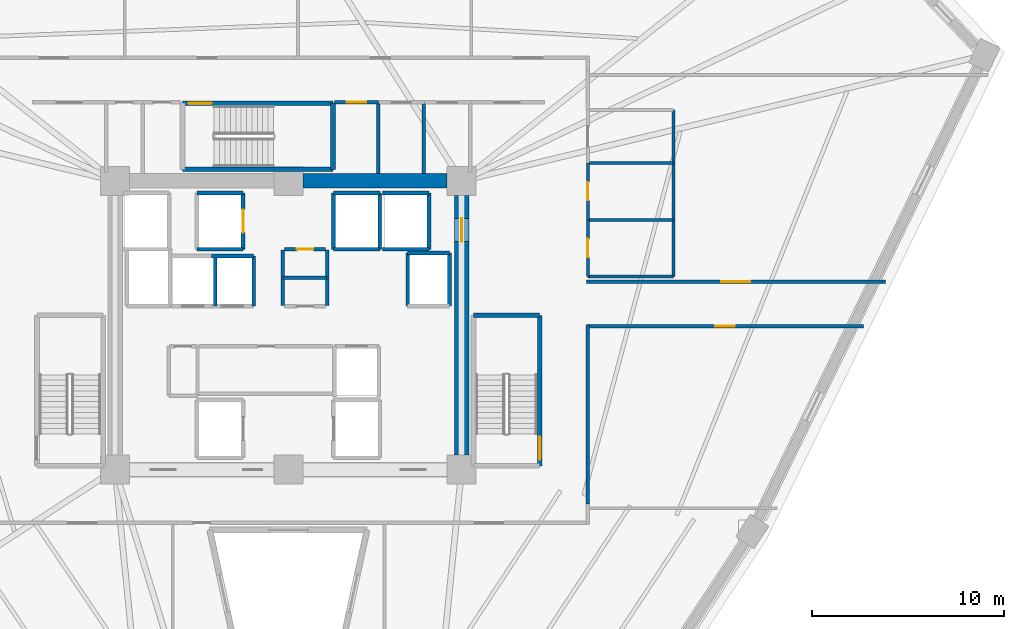
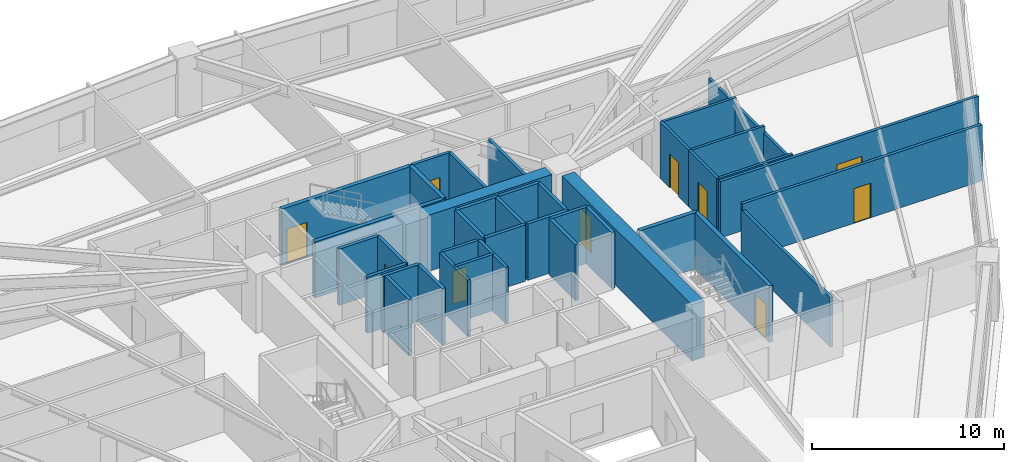
# One storey, part 6 of 10: 39 walls, 10 doors, 10 openings.
"""IFC4 building model written with IfcOpenShell, lengths in metres."""

from ifc_helpers import new_model, si_unit, direction, frame, frame_2d, origin, place, context, subcontext, project, spatial, rectangle, extrude, source, transform, mapped, material, layer, layer_set, type_object, element, fill, save


model = new_model("IFC4")

# Units and contexts
model_context = context("Model", 3, precision=1e-05, world=origin(), true_north=direction((0.0, 1.0)))
body_context = subcontext(model_context, "Body", "Model", "MODEL_VIEW")
ifc_project = project(units=[si_unit("LENGTHUNIT", "METRE"), si_unit("AREAUNIT", "SQUARE_METRE"), si_unit("VOLUMEUNIT", "CUBIC_METRE"), si_unit("PLANEANGLEUNIT", "RADIAN"), si_unit("MASSUNIT", "GRAM", prefix="KILO")], contexts=[model_context])

# Site, building, storey
site_placement = place(None, origin())
site = spatial("IfcSite", under=ifc_project, at=site_placement, CompositionType="ELEMENT")
building_placement = place(site_placement, origin())
building = spatial("IfcBuilding", under=site, at=building_placement, Name="Liaohun Quay Tower", CompositionType="ELEMENT")
storey_placement = place(building_placement, frame((0.0, 0.0, 124.5)))
storey = spatial("IfcBuildingStorey", under=building, at=storey_placement, Name="L32", CompositionType="ELEMENT", Elevation=124.5)

# Wall
ifc_material_1 = material(Name="Concrete C60", Category="concrete")
ifc_layer_1 = layer(ifc_material_1, 0.75, Name="Concrete C60", Category="concrete")
ifc_layer_set_1 = layer_set([ifc_layer_1], Name="Concrete C60")
wall_type_1 = type_object("IfcWallType", Name="WAL-COR-Z2", PredefinedType="SHEAR", material=ifc_layer_set_1)
wall_1_placement = place(storey_placement, frame((60.75, 61.5, 0.0), z_axis=(0.0, 0.0, 1.0), x_axis=(1.0, 0.0, 0.0)))
element("IfcWall", 1, at=wall_1_placement, inside=storey, type_object=wall_type_1, Name="L32 Central Core Shear Wall N-E", PredefinedType="SHEAR", context=body_context, shape_type="SweptSolid", body=[
    extrude(rectangle(XDim=7.5, YDim=0.75, at=frame_2d((3.75, 0.0))), origin(), (0.0, 0.0, 1.0), 3.570068359375),
])

# Wall, opening, door
wall_2_placement = place(storey_placement, frame((69.0, 60.75, 0.0), z_axis=(0.0, 0.0, 1.0), x_axis=(0.0, -1.0, 0.0)))
wall_2 = element("IfcWall", 2, at=wall_2_placement, inside=storey, type_object=wall_type_1, Name="L32 Central Core Shear Wall E", PredefinedType="SHEAR", context=body_context, shape_type="SweptSolid", body=[
    extrude(rectangle(XDim=13.5, YDim=0.75, at=frame_2d((6.75, 0.0))), origin(), (0.0, 0.0, 1.0), 3.570068359375),
])
shared_shape_1 = source(origin(), body_context, "Body", "SweptSolid", [
    extrude(rectangle(XDim=1.199951171875, YDim=2.199951171875, at=frame_2d((0.60009765625, 1.10009765625))), frame((0.0, 0.385009765625, 0.0), z_axis=(0.0, -1.0, 0.0), x_axis=(1.0, 0.0, 0.0)), (0.0, 0.0, 1.0), 0.77001953125),
])
opening_1_placement = place(wall_2_placement, frame((1.199951171875, 0.0, 0.0)))
opening_1 = element("IfcOpeningElement", 3, at=opening_1_placement, cuts=wall_2, Name="Opening SD1", PredefinedType="OPENING", context=body_context, shape_type="MappedRepresentation", body=[
    mapped(shared_shape_1, transform((0.0, 0.0, 0.0), x_axis=(1.0, 0.0, 0.0), y_axis=(0.0, 1.0, 0.0), z_axis=(0.0, 0.0, 1.0), scale=1.0)),
])
ifc_material_2 = material(Name="Galvanised steel fire door", Category="steel")
door_type_1 = type_object("IfcDoorType", Name="DOR-STR-1200", OperationType="NOTDEFINED", PredefinedType="DOOR", material=ifc_material_2)
shared_shape_2 = source(origin(), body_context, "Body", "SweptSolid", [
    extrude(rectangle(XDim=1.199951171875, YDim=2.199951171875, at=frame_2d((0.60009765625, 1.10009765625))), frame((0.0, 0.02490234375, 0.0), z_axis=(0.0, -1.0, 0.0), x_axis=(1.0, 0.0, 0.0)), (0.0, 0.0, 1.0), 0.050048828125),
])
door_1_placement = place(opening_1_placement, origin())
door_1 = element("IfcDoor", 4, at=door_1_placement, inside=storey, type_object=door_type_1, Name="L32 North-East Core Lobby Smokeproof Door", OperationType="SINGLE_SWING_LEFT", OverallHeight=2.199951171875, OverallWidth=1.199951171875, PredefinedType="DOOR", context=body_context, shape_type="MappedRepresentation", body=[
    mapped(shared_shape_2, transform((0.0, 0.0, 0.0), x_axis=(1.0, 0.0, 0.0), y_axis=(0.0, 1.0, 0.0), z_axis=(0.0, 0.0, 1.0), scale=1.0)),
])
fill(opening_1, door_1)

ifc_material_3 = material(Name="Autoclaved aerated concrete blockwork", Category="masonry")
ifc_layer_2 = layer(ifc_material_3, 0.179931640625, Name="Autoclaved aerated concrete blockwork", Category="masonry")
ifc_layer_set_2 = layer_set([ifc_layer_2], Name="Autoclaved aerated concrete blockwork")
wall_type_2 = type_object("IfcWallType", Name="WAL-PRT-COR", PredefinedType="PARTITIONING", material=ifc_layer_set_2)
wall_3_placement = place(storey_placement, frame((59.81005859375, 57.949951171875, 0.0), z_axis=(0.0, 0.0, 1.0), x_axis=(1.0, 0.0, 0.0)))
wall_3 = element("IfcWall", 5, at=wall_3_placement, inside=storey, type_object=wall_type_2, Name="L32 Interior Partition Wall 003", PredefinedType="PARTITIONING", context=body_context, shape_type="SweptSolid", body=[
    extrude(rectangle(XDim=2.10986328125, YDim=0.179931640625, at=frame_2d((1.054931640625, 0.0))), origin(), (0.0, 0.0, 1.0), 3.570068359375),
])
shared_shape_3 = source(origin(), body_context, "Body", "SweptSolid", [
    extrude(rectangle(XDim=0.85009765625, YDim=2.10009765625, at=frame_2d((0.425048828125, 1.050048828125))), frame((0.0, 0.099853515625, 0.0), z_axis=(0.0, -1.0, 0.0), x_axis=(1.0, 0.0, 0.0)), (0.0, 0.0, 1.0), 0.199951171875),
])
opening_2_placement = place(wall_3_placement, frame((0.635009765625, 0.0, 0.0)))
opening_2 = element("IfcOpeningElement", 6, at=opening_2_placement, cuts=wall_3, Name="Opening AD1", PredefinedType="OPENING", context=body_context, shape_type="MappedRepresentation", body=[
    mapped(shared_shape_3, transform((0.0, 0.0, 0.0), x_axis=(1.0, 0.0, 0.0), y_axis=(0.0, 1.0, 0.0), z_axis=(0.0, 0.0, 1.0), scale=1.0)),
])
ifc_material_4 = material(Name="Steel riser inspection fire door", Category="steel")
door_type_2 = type_object("IfcDoorType", Name="DOR-SHF-850", OperationType="NOTDEFINED", PredefinedType="DOOR", material=ifc_material_4)
shared_shape_4 = source(origin(), body_context, "Body", "SweptSolid", [
    extrude(rectangle(XDim=0.85009765625, YDim=2.10009765625, at=frame_2d((0.425048828125, 1.050048828125))), frame((0.0, 0.02490234375, 0.0), z_axis=(0.0, -1.0, 0.0), x_axis=(1.0, 0.0, 0.0)), (0.0, 0.0, 1.0), 0.050048828125),
])
door_2_placement = place(opening_2_placement, origin())
door_2 = element("IfcDoor", 7, at=door_2_placement, inside=storey, type_object=door_type_2, Name="L32 Telecom Comms Closet Door", OperationType="SINGLE_SWING_RIGHT", OverallHeight=2.10009765625, OverallWidth=0.85009765625, PredefinedType="DOOR", context=body_context, shape_type="MappedRepresentation", body=[
    mapped(shared_shape_4, transform((0.0, 0.0, 0.0), x_axis=(1.0, 0.0, 0.0), y_axis=(0.0, 1.0, 0.0), z_axis=(0.0, 0.0, 1.0), scale=1.0)),
])
fill(opening_2, door_2)

wall_4_placement = place(storey_placement, frame((62.389892578125, 65.580078125, 0.0), z_axis=(0.0, 0.0, 1.0), x_axis=(1.0, 0.0, 0.0)))
wall_4 = element("IfcWall", 8, at=wall_4_placement, inside=storey, type_object=wall_type_2, Name="L32 Interior Partition Wall 010", PredefinedType="PARTITIONING", context=body_context, shape_type="SweptSolid", body=[
    extrude(rectangle(XDim=2.2900390625, YDim=0.179931640625, at=frame_2d((1.14501953125, 0.0))), origin(), (0.0, 0.0, 1.0), 3.570068359375),
])
shared_shape_5 = source(origin(), body_context, "Body", "SweptSolid", [
    extrude(rectangle(XDim=1.0, YDim=2.199951171875, at=frame_2d((0.5, 1.10009765625))), frame((0.0, 0.099853515625, 0.0), z_axis=(0.0, -1.0, 0.0), x_axis=(1.0, 0.0, 0.0)), (0.0, 0.0, 1.0), 0.199951171875),
])
opening_3_placement = place(wall_4_placement, frame((0.64501953125, 0.0, 0.0)))
opening_3 = element("IfcOpeningElement", 9, at=opening_3_placement, cuts=wall_4, Name="Opening OD1", PredefinedType="OPENING", context=body_context, shape_type="MappedRepresentation", body=[
    mapped(shared_shape_5, transform((0.0, 0.0, 0.0), x_axis=(1.0, 0.0, 0.0), y_axis=(0.0, 1.0, 0.0), z_axis=(0.0, 0.0, 1.0), scale=1.0)),
])
ifc_material_5 = material(Name="Solid-core oak veneer timber leaf in steel frame", Category="steel")
door_type_3 = type_object("IfcDoorType", Name="DOR-OFF-1000", OperationType="NOTDEFINED", PredefinedType="DOOR", material=ifc_material_5)
shared_shape_6 = source(origin(), body_context, "Body", "SweptSolid", [
    extrude(rectangle(XDim=1.0, YDim=2.199951171875, at=frame_2d((0.5, 1.10009765625))), frame((0.0, 0.02490234375, 0.0), z_axis=(0.0, -1.0, 0.0), x_axis=(1.0, 0.0, 0.0)), (0.0, 0.0, 1.0), 0.050048828125),
])
door_3_placement = place(opening_3_placement, origin())
door_3 = element("IfcDoor", 10, at=door_3_placement, inside=storey, type_object=door_type_3, Name="L32 North-East Mail Store Door", OperationType="SINGLE_SWING_LEFT", OverallHeight=2.199951171875, OverallWidth=1.0, PredefinedType="DOOR", context=body_context, shape_type="MappedRepresentation", body=[
    mapped(shared_shape_6, transform((0.0, 0.0, 0.0), x_axis=(1.0, 0.0, 0.0), y_axis=(0.0, 1.0, 0.0), z_axis=(0.0, 0.0, 1.0), scale=1.0)),
])
fill(opening_3, door_3)

wall_5_placement = place(storey_placement, frame((75.489990234375, 56.260009765625, 0.0), z_axis=(0.0, 0.0, 1.0), x_axis=(1.0, 0.0, 0.0)))
wall_5 = element("IfcWall", 11, at=wall_5_placement, inside=storey, type_object=wall_type_2, Name="L32 Interior Partition Wall 015", PredefinedType="PARTITIONING", context=body_context, shape_type="SweptSolid", body=[
    extrude(rectangle(XDim=15.52392578125, YDim=0.179931640625, at=frame_2d((7.761962890625, 0.0))), origin(), (0.0, 0.0, 1.0), 3.570068359375),
])
shared_shape_7 = source(origin(), body_context, "Body", "SweptSolid", [
    extrude(rectangle(XDim=1.5, YDim=2.199951171875, at=frame_2d((0.75, 1.10009765625))), frame((0.0, 0.099853515625, 0.0), z_axis=(0.0, -1.0, 0.0), x_axis=(1.0, 0.0, 0.0)), (0.0, 0.0, 1.0), 0.199951171875),
])
opening_4_placement = place(wall_5_placement, frame((7.011962890625, 0.0, 0.0)))
opening_4 = element("IfcOpeningElement", 12, at=opening_4_placement, cuts=wall_5, Name="Opening OD2", PredefinedType="OPENING", context=body_context, shape_type="MappedRepresentation", body=[
    mapped(shared_shape_7, transform((0.0, 0.0, 0.0), x_axis=(1.0, 0.0, 0.0), y_axis=(0.0, 1.0, 0.0), z_axis=(0.0, 0.0, 1.0), scale=1.0)),
])
ifc_material_6 = material(Name="Acoustic oak veneer double door")
door_type_4 = type_object("IfcDoorType", Name="DOR-OFF-1500", OperationType="DOUBLE_DOOR_SINGLE_SWING", PredefinedType="DOOR", material=ifc_material_6)
shared_shape_8 = source(origin(), body_context, "Body", "SweptSolid", [
    extrude(rectangle(XDim=1.5, YDim=2.199951171875, at=frame_2d((0.75, 1.10009765625))), frame((0.0, 0.02490234375, 0.0), z_axis=(0.0, -1.0, 0.0), x_axis=(1.0, 0.0, 0.0)), (0.0, 0.0, 1.0), 0.050048828125),
])
door_4_placement = place(opening_4_placement, origin())
door_4 = element("IfcDoor", 13, at=door_4_placement, inside=storey, type_object=door_type_4, Name="L32 Technical Reference Library 01 Door", OperationType="DOUBLE_DOOR_SINGLE_SWING", OverallHeight=2.199951171875, OverallWidth=1.5, PredefinedType="DOOR", context=body_context, shape_type="MappedRepresentation", body=[
    mapped(shared_shape_8, transform((0.0, 0.0, 0.0), x_axis=(1.0, 0.0, 0.0), y_axis=(0.0, 1.0, 0.0), z_axis=(0.0, 0.0, 1.0), scale=1.0)),
])
fill(opening_4, door_4)

wall_6_placement = place(storey_placement, frame((89.883056640625, 53.93994140625, 0.0), z_axis=(0.0, 0.0, 1.0), x_axis=(-1.0, 0.0, 0.0)))
wall_6 = element("IfcWall", 14, at=wall_6_placement, inside=storey, type_object=wall_type_2, Name="L32 Interior Partition Wall 027", PredefinedType="PARTITIONING", context=body_context, shape_type="SweptSolid", body=[
    extrude(rectangle(XDim=14.39306640625, YDim=0.179931640625, at=frame_2d((7.196533203125, 0.0))), origin(), (0.0, 0.0, 1.0), 3.570068359375),
])
opening_5_placement = place(wall_6_placement, frame((6.697021484375, 0.0, 0.0)))
opening_5 = element("IfcOpeningElement", 15, at=opening_5_placement, cuts=wall_6, Name="Opening OD1", PredefinedType="OPENING", context=body_context, shape_type="MappedRepresentation", body=[
    mapped(shared_shape_5, transform((0.0, 0.0, 0.0), x_axis=(1.0, 0.0, 0.0), y_axis=(0.0, 1.0, 0.0), z_axis=(0.0, 0.0, 1.0), scale=1.0)),
])
door_5_placement = place(opening_5_placement, origin())
door_5 = element("IfcDoor", 16, at=door_5_placement, inside=storey, type_object=door_type_3, Name="L32 Regional Advisory Office 13 Door", OperationType="SINGLE_SWING_RIGHT", OverallHeight=2.199951171875, OverallWidth=1.0, PredefinedType="DOOR", context=body_context, shape_type="MappedRepresentation", body=[
    mapped(shared_shape_6, transform((0.0, 0.0, 0.0), x_axis=(1.0, 0.0, 0.0), y_axis=(0.0, 1.0, 0.0), z_axis=(0.0, 0.0, 1.0), scale=1.0)),
])
fill(opening_5, door_5)

# Walls
for number, where, z_axis, x_axis, name in (
    (17, (59.719970703125, 55.02001953125, 0.0), (0.0, 0.0, 1.0), (0.0, 1.0, 0.0), "L32 Interior Partition Wall 028"),
    (18, (62.010009765625, 55.02001953125, 0.0), (0.0, 0.0, 1.0), (0.0, 1.0, 0.0), "L32 Interior Partition Wall 029"),
):
    element("IfcWall", number, at=place(storey_placement, frame(where, z_axis=z_axis, x_axis=x_axis)), inside=storey, type_object=wall_type_2, Name=name, PredefinedType="PARTITIONING", context=body_context, shape_type="SweptSolid", body=[
        extrude(rectangle(XDim=2.8798828125, YDim=0.179931640625, at=frame_2d((1.43994140625, 0.0))), origin(), (0.0, 0.0, 1.0), 3.570068359375),
    ])
wall_7_placement = place(storey_placement, frame((59.719970703125, 56.4599609375, 0.0), z_axis=(0.0, 0.0, 1.0), x_axis=(1.0, 0.0, 0.0)))
element("IfcWall", 19, at=wall_7_placement, inside=storey, type_object=wall_type_2, Name="L32 Interior Partition Wall 030", PredefinedType="PARTITIONING", context=body_context, shape_type="SweptSolid", body=[
    extrude(rectangle(XDim=2.2900390625, YDim=0.179931640625, at=frame_2d((1.14501953125, 0.0))), origin(), (0.0, 0.0, 1.0), 3.570068359375),
])
for number, where, z_axis, x_axis, name in (
    (20, (64.679931640625, 61.875, 0.0), (0.0, 0.0, 1.0), (0.0, 1.0, 0.0), "L32 Interior Partition Wall 041"),
    (21, (67.0400390625, 61.875, 0.0), (0.0, 0.0, 1.0), (0.0, 1.0, 0.0), "L32 Interior Partition Wall 042"),
):
    element("IfcWall", number, at=place(storey_placement, frame(where, z_axis=z_axis, x_axis=x_axis)), inside=storey, type_object=wall_type_2, Name=name, PredefinedType="PARTITIONING", context=body_context, shape_type="SweptSolid", body=[
        extrude(rectangle(XDim=3.705078125, YDim=0.179931640625, at=frame_2d((1.8525390625, 0.0))), origin(), (0.0, 0.0, 1.0), 3.570068359375),
    ])
wall_8_placement = place(storey_placement, frame((75.56005859375, 54.010009765625, 0.0), z_axis=(0.0, 0.0, 1.0), x_axis=(0.0, -1.0, 0.0)))
element("IfcWall", 22, at=wall_8_placement, inside=storey, type_object=wall_type_2, Name="L32 Interior Partition Wall 051", PredefinedType="PARTITIONING", context=body_context, shape_type="SweptSolid", body=[
    extrude(rectangle(XDim=9.294921875, YDim=0.179931640625, at=frame_2d((4.6474609375, 0.0))), origin(), (0.0, 0.0, 1.0), 3.155029296875),
])

# Wall, opening, door
ifc_material_7 = material(Name="Moisture-resistant masonry blockwork", Category="masonry")
ifc_layer_3 = layer(ifc_material_7, 0.159912109375, Name="Moisture-resistant masonry blockwork", Category="masonry")
ifc_layer_set_3 = layer_set([ifc_layer_3], Name="Moisture-resistant masonry blockwork")
wall_type_3 = type_object("IfcWallType", Name="WAL-PRT-WET", PredefinedType="PARTITIONING", material=ifc_layer_set_3)
wall_9_placement = place(storey_placement, frame((75.56005859375, 56.5400390625, 0.0), z_axis=(0.0, 0.0, 1.0), x_axis=(0.0, 1.0, 0.0)))
wall_9 = element("IfcWall", 23, at=wall_9_placement, inside=storey, type_object=wall_type_3, Name="L32 Interior Partition Wall 005", PredefinedType="PARTITIONING", context=body_context, shape_type="SweptSolid", body=[
    extrude(rectangle(XDim=2.93994140625, YDim=0.159912109375, at=frame_2d((1.469970703125, 0.0))), origin(), (0.0, 0.0, 1.0), 3.570068359375),
])
shared_shape_9 = source(origin(), body_context, "Body", "SweptSolid", [
    extrude(rectangle(XDim=0.949951171875, YDim=2.14990234375, at=frame_2d((0.47509765625, 1.074951171875))), frame((0.0, 0.08984375, 0.0), z_axis=(0.0, -1.0, 0.0), x_axis=(1.0, 0.0, 0.0)), (0.0, 0.0, 1.0), 0.179931640625),
])
opening_6_placement = place(wall_9_placement, frame((0.9951171875, 0.0, 0.0)))
opening_6 = element("IfcOpeningElement", 24, at=opening_6_placement, cuts=wall_9, Name="Opening WD1", PredefinedType="OPENING", context=body_context, shape_type="MappedRepresentation", body=[
    mapped(shared_shape_9, transform((0.0, 0.0, 0.0), x_axis=(1.0, 0.0, 0.0), y_axis=(0.0, 1.0, 0.0), z_axis=(0.0, 0.0, 1.0), scale=1.0)),
])
ifc_material_8 = material(Name="Moisture-resistant laminate timber leaf", Category="wood")
door_type_5 = type_object("IfcDoorType", Name="DOR-WC-950", OperationType="NOTDEFINED", PredefinedType="DOOR", material=ifc_material_8)
shared_shape_10 = source(origin(), body_context, "Body", "SweptSolid", [
    extrude(rectangle(XDim=0.949951171875, YDim=2.14990234375, at=frame_2d((0.47509765625, 1.074951171875))), frame((0.0, 0.02490234375, 0.0), z_axis=(0.0, -1.0, 0.0), x_axis=(1.0, 0.0, 0.0)), (0.0, 0.0, 1.0), 0.050048828125),
])
door_6_placement = place(opening_6_placement, origin())
door_6 = element("IfcDoor", 25, at=door_6_placement, inside=storey, type_object=door_type_5, Name="L32 Male Restroom WC Door", OperationType="SINGLE_SWING_RIGHT", OverallHeight=2.14990234375, OverallWidth=0.949951171875, PredefinedType="DOOR", context=body_context, shape_type="MappedRepresentation", body=[
    mapped(shared_shape_10, transform((0.0, 0.0, 0.0), x_axis=(1.0, 0.0, 0.0), y_axis=(0.0, 1.0, 0.0), z_axis=(0.0, 0.0, 1.0), scale=1.0)),
])
fill(opening_6, door_6)

wall_10_placement = place(storey_placement, frame((75.56005859375, 59.47998046875, 0.0), z_axis=(0.0, 0.0, 1.0), x_axis=(0.0, 1.0, 0.0)))
wall_10 = element("IfcWall", 26, at=wall_10_placement, inside=storey, type_object=wall_type_3, Name="L32 Interior Partition Wall 006", PredefinedType="PARTITIONING", context=body_context, shape_type="SweptSolid", body=[
    extrude(rectangle(XDim=2.9599609375, YDim=0.159912109375, at=frame_2d((1.47998046875, 0.0))), origin(), (0.0, 0.0, 1.0), 3.570068359375),
])
opening_7_placement = place(wall_10_placement, frame((1.0048828125, 0.0, 0.0)))
opening_7 = element("IfcOpeningElement", 27, at=opening_7_placement, cuts=wall_10, Name="Opening WD1", PredefinedType="OPENING", context=body_context, shape_type="MappedRepresentation", body=[
    mapped(shared_shape_9, transform((0.0, 0.0, 0.0), x_axis=(1.0, 0.0, 0.0), y_axis=(0.0, 1.0, 0.0), z_axis=(0.0, 0.0, 1.0), scale=1.0)),
])
door_7_placement = place(opening_7_placement, origin())
door_7 = element("IfcDoor", 28, at=door_7_placement, inside=storey, type_object=door_type_5, Name="L32 Female Restroom WC Door", OperationType="SINGLE_SWING_LEFT", OverallHeight=2.14990234375, OverallWidth=0.949951171875, PredefinedType="DOOR", context=body_context, shape_type="MappedRepresentation", body=[
    mapped(shared_shape_10, transform((0.0, 0.0, 0.0), x_axis=(1.0, 0.0, 0.0), y_axis=(0.0, 1.0, 0.0), z_axis=(0.0, 0.0, 1.0), scale=1.0)),
])
fill(opening_7, door_7)

# Walls
wall_11_placement = place(storey_placement, frame((80.02001953125, 56.5400390625, 0.0), z_axis=(0.0, 0.0, 1.0), x_axis=(0.0, 1.0, 0.0)))
element("IfcWall", 29, at=wall_11_placement, inside=storey, type_object=wall_type_3, Name="L32 Interior Partition Wall 034", PredefinedType="PARTITIONING", context=body_context, shape_type="SweptSolid", body=[
    extrude(rectangle(XDim=8.639892578125, YDim=0.159912109375, at=frame_2d((4.31982421875, 0.0))), origin(), (0.0, 0.0, 1.0), 3.155029296875),
])
for number, where, z_axis, x_axis, name in (
    (30, (75.56005859375, 56.5400390625, 0.0), (0.0, 0.0, 1.0), (1.0, 0.0, 0.0), "L32 Interior Partition Wall 035"),
    (31, (75.56005859375, 59.47998046875, 0.0), (0.0, 0.0, 1.0), (1.0, 0.0, 0.0), "L32 Interior Partition Wall 036"),
    (32, (75.56005859375, 62.43994140625, 0.0), (0.0, 0.0, 1.0), (1.0, 0.0, 0.0), "L32 Interior Partition Wall 037"),
):
    element("IfcWall", number, at=place(storey_placement, frame(where, z_axis=z_axis, x_axis=x_axis)), inside=storey, type_object=wall_type_3, Name=name, PredefinedType="PARTITIONING", context=body_context, shape_type="SweptSolid", body=[
        extrude(rectangle(XDim=4.4599609375, YDim=0.159912109375, at=frame_2d((2.22998046875, 0.0))), origin(), (0.0, 0.0, 1.0), 3.570068359375),
    ])

# Wall, opening, door
ifc_material_9 = material(Name="Concrete C50", Category="concrete")
ifc_layer_4 = layer(ifc_material_9, 0.239990234375, Name="Concrete C50", Category="concrete")
ifc_layer_set_4 = layer_set([ifc_layer_4], Name="Concrete C50")
wall_type_4 = type_object("IfcWallType", Name="WAL-SHF-200", PredefinedType="SOLIDWALL", material=ifc_layer_set_4)
wall_12_placement = place(storey_placement, frame((73.06005859375, 46.699951171875, 0.0), z_axis=(0.0, 0.0, 1.0), x_axis=(0.0, 1.0, 0.0)))
wall_12 = element("IfcWall", 33, at=wall_12_placement, inside=storey, type_object=wall_type_4, Name="L32 Stairwell ST-2 Structural Core Wall E", PredefinedType="SOLIDWALL", context=body_context, shape_type="SweptSolid", body=[
    extrude(rectangle(XDim=7.820068359375, YDim=0.239990234375, at=frame_2d((3.91015625, 0.0))), origin(), (0.0, 0.0, 1.0), 3.570068359375),
])
shared_shape_11 = source(origin(), body_context, "Body", "SweptSolid", [
    extrude(rectangle(XDim=1.199951171875, YDim=2.199951171875, at=frame_2d((0.60009765625, 1.10009765625))), frame((0.0, 0.1298828125, 0.0), z_axis=(0.0, -1.0, 0.0), x_axis=(1.0, 0.0, 0.0)), (0.0, 0.0, 1.0), 0.260009765625),
])
opening_8_placement = place(wall_12_placement, frame((0.320068359375, 0.0, 0.0)))
opening_8 = element("IfcOpeningElement", 34, at=opening_8_placement, cuts=wall_12, Name="Opening SD1", PredefinedType="OPENING", context=body_context, shape_type="MappedRepresentation", body=[
    mapped(shared_shape_11, transform((0.0, 0.0, 0.0), x_axis=(1.0, 0.0, 0.0), y_axis=(0.0, 1.0, 0.0), z_axis=(0.0, 0.0, 1.0), scale=1.0)),
])
door_8_placement = place(opening_8_placement, origin())
door_8 = element("IfcDoor", 35, at=door_8_placement, inside=storey, type_object=door_type_1, Name="L32 Protected Stair ST-2 Fire Door", OperationType="SINGLE_SWING_RIGHT", OverallHeight=2.199951171875, OverallWidth=1.199951171875, PredefinedType="DOOR", context=body_context, shape_type="MappedRepresentation", body=[
    mapped(shared_shape_2, transform((0.0, 0.0, 0.0), x_axis=(1.0, 0.0, 0.0), y_axis=(0.0, 1.0, 0.0), z_axis=(0.0, 0.0, 1.0), scale=1.0)),
])
fill(opening_8, door_8)

# Walls
wall_13_placement = place(storey_placement, frame((73.06005859375, 54.52001953125, 0.0), z_axis=(0.0, 0.0, 1.0), x_axis=(-1.0, 0.0, 0.0)))
element("IfcWall", 36, at=wall_13_placement, inside=storey, type_object=wall_type_4, Name="L32 Stairwell ST-2 Structural Core Wall N", PredefinedType="SOLIDWALL", context=body_context, shape_type="SweptSolid", body=[
    extrude(rectangle(XDim=3.43994140625, YDim=0.239990234375, at=frame_2d((1.719970703125, 0.0))), origin(), (0.0, 0.0, 1.0), 3.570068359375),
])
wall_14_placement = place(storey_placement, frame((54.5, 62.10009765625, 0.0), z_axis=(0.0, 0.0, 1.0), x_axis=(1.0, 0.0, 0.0)))
element("IfcWall", 37, at=wall_14_placement, inside=storey, type_object=wall_type_4, Name="L32 Stairwell ST-3 Structural Core Wall S", PredefinedType="SOLIDWALL", context=body_context, shape_type="SweptSolid", body=[
    extrude(rectangle(XDim=7.820068359375, YDim=0.239990234375, at=frame_2d((3.91015625, 0.0))), origin(), (0.0, 0.0, 1.0), 3.570068359375),
])
wall_15_placement = place(storey_placement, frame((62.320068359375, 62.10009765625, 0.0), z_axis=(0.0, 0.0, 1.0), x_axis=(0.0, 1.0, 0.0)))
element("IfcWall", 38, at=wall_15_placement, inside=storey, type_object=wall_type_4, Name="L32 Stairwell ST-3 Structural Core Wall E", PredefinedType="SOLIDWALL", context=body_context, shape_type="SweptSolid", body=[
    extrude(rectangle(XDim=3.43994140625, YDim=0.239990234375, at=frame_2d((1.719970703125, 0.0))), origin(), (0.0, 0.0, 1.0), 3.570068359375),
])

# Wall, opening, door
wall_16_placement = place(storey_placement, frame((62.320068359375, 65.5400390625, 0.0), z_axis=(0.0, 0.0, 1.0), x_axis=(-1.0, 0.0, 0.0)))
wall_16 = element("IfcWall", 39, at=wall_16_placement, inside=storey, type_object=wall_type_4, Name="L32 Stairwell ST-3 Structural Core Wall N", PredefinedType="SOLIDWALL", context=body_context, shape_type="SweptSolid", body=[
    extrude(rectangle(XDim=7.820068359375, YDim=0.239990234375, at=frame_2d((3.91015625, 0.0))), origin(), (0.0, 0.0, 1.0), 3.570068359375),
])
opening_9_placement = place(wall_16_placement, frame((6.300048828125, 0.0, 0.0)))
opening_9 = element("IfcOpeningElement", 40, at=opening_9_placement, cuts=wall_16, Name="Opening SD1", PredefinedType="OPENING", context=body_context, shape_type="MappedRepresentation", body=[
    mapped(shared_shape_11, transform((0.0, 0.0, 0.0), x_axis=(1.0, 0.0, 0.0), y_axis=(0.0, 1.0, 0.0), z_axis=(0.0, 0.0, 1.0), scale=1.0)),
])
door_9_placement = place(opening_9_placement, origin())
door_9 = element("IfcDoor", 41, at=door_9_placement, inside=storey, type_object=door_type_1, Name="L32 Protected Stair ST-3 Fire Door", OperationType="SINGLE_SWING_RIGHT", OverallHeight=2.199951171875, OverallWidth=1.199951171875, PredefinedType="DOOR", context=body_context, shape_type="MappedRepresentation", body=[
    mapped(shared_shape_2, transform((0.0, 0.0, 0.0), x_axis=(1.0, 0.0, 0.0), y_axis=(0.0, 1.0, 0.0), z_axis=(0.0, 0.0, 1.0), scale=1.0)),
])
fill(opening_9, door_9)

# Wall
wall_17_placement = place(storey_placement, frame((55.25, 57.949951171875, 0.0), z_axis=(0.0, 0.0, 1.0), x_axis=(1.0, 0.0, 0.0)))
element("IfcWall", 42, at=wall_17_placement, inside=storey, type_object=wall_type_4, Name="L32 Lift FF-03 Hoistway Wall S", PredefinedType="SOLIDWALL", context=body_context, shape_type="SweptSolid", body=[
    extrude(rectangle(XDim=2.39990234375, YDim=0.199951171875, at=frame_2d((1.199951171875, 0.0))), origin(), (0.0, 0.0, 1.0), 3.570068359375),
])

# Wall, opening, door
wall_18_placement = place(storey_placement, frame((57.64990234375, 57.949951171875, 0.0), z_axis=(0.0, 0.0, 1.0), x_axis=(0.0, 1.0, 0.0)))
wall_18 = element("IfcWall", 43, at=wall_18_placement, inside=storey, type_object=wall_type_4, Name="L32 Lift FF-03 Hoistway Wall E", PredefinedType="SOLIDWALL", context=body_context, shape_type="SweptSolid", body=[
    extrude(rectangle(XDim=2.929931640625, YDim=0.199951171875, at=frame_2d((1.46484375, 0.0))), origin(), (0.0, 0.0, 1.0), 3.570068359375),
])
shared_shape_12 = source(origin(), body_context, "Body", "SweptSolid", [
    extrude(rectangle(XDim=1.199951171875, YDim=2.300048828125, at=frame_2d((0.60009765625, 1.14990234375))), frame((0.0, 0.10986328125, 0.0), z_axis=(0.0, -1.0, 0.0), x_axis=(1.0, 0.0, 0.0)), (0.0, 0.0, 1.0), 0.219970703125),
])
opening_10_placement = place(wall_18_placement, frame((0.864990234375, 0.0, 0.0)))
opening_10 = element("IfcOpeningElement", 44, at=opening_10_placement, cuts=wall_18, Name="Opening LD2", PredefinedType="OPENING", context=body_context, shape_type="MappedRepresentation", body=[
    mapped(shared_shape_12, transform((0.0, 0.0, 0.0), x_axis=(1.0, 0.0, 0.0), y_axis=(0.0, 1.0, 0.0), z_axis=(0.0, 0.0, 1.0), scale=1.0)),
])
ifc_material_10 = material(Name="Brushed stainless steel stretcher landing door", Category="steel")
door_type_6 = type_object("IfcDoorType", Name="DOR-LFT-1200", OperationType="SLIDING_TO_LEFT", PredefinedType="DOOR", material=ifc_material_10)
shared_shape_13 = source(origin(), body_context, "Body", "SweptSolid", [
    extrude(rectangle(XDim=1.199951171875, YDim=2.300048828125, at=frame_2d((0.60009765625, 1.14990234375))), frame((0.0, 0.02490234375, 0.0), z_axis=(0.0, -1.0, 0.0), x_axis=(1.0, 0.0, 0.0)), (0.0, 0.0, 1.0), 0.050048828125),
])
door_10_placement = place(opening_10_placement, origin())
door_10 = element("IfcDoor", 45, at=door_10_placement, inside=storey, type_object=door_type_6, Name="L32 Lift FF-03 Sliding Landing Door", OperationType="SLIDING_TO_LEFT", OverallHeight=2.300048828125, OverallWidth=1.199951171875, PredefinedType="DOOR", context=body_context, shape_type="MappedRepresentation", body=[
    mapped(shared_shape_13, transform((0.0, 0.0, 0.0), x_axis=(1.0, 0.0, 0.0), y_axis=(0.0, 1.0, 0.0), z_axis=(0.0, 0.0, 1.0), scale=1.0)),
])
fill(opening_10, door_10)

# Walls
for number, where, z_axis, x_axis, name in (
    (46, (57.64990234375, 60.8798828125, 0.0), (0.0, 0.0, 1.0), (-1.0, 0.0, 0.0), "L32 Lift FF-03 Hoistway Wall N"),
    (47, (62.35009765625, 57.949951171875, 0.0), (0.0, 0.0, 1.0), (1.0, 0.0, 0.0), "L32 Lift OB-01 Hoistway Wall S"),
):
    element("IfcWall", number, at=place(storey_placement, frame(where, z_axis=z_axis, x_axis=x_axis)), inside=storey, type_object=wall_type_4, Name=name, PredefinedType="SOLIDWALL", context=body_context, shape_type="SweptSolid", body=[
        extrude(rectangle(XDim=2.39990234375, YDim=0.199951171875, at=frame_2d((1.199951171875, 0.0))), origin(), (0.0, 0.0, 1.0), 3.570068359375),
    ])
wall_19_placement = place(storey_placement, frame((64.75, 57.949951171875, 0.0), z_axis=(0.0, 0.0, 1.0), x_axis=(0.0, 1.0, 0.0)))
element("IfcWall", 48, at=wall_19_placement, inside=storey, type_object=wall_type_4, Name="L32 Lift OB-01 Hoistway Wall E", PredefinedType="SOLIDWALL", context=body_context, shape_type="SweptSolid", body=[
    extrude(rectangle(XDim=2.929931640625, YDim=0.199951171875, at=frame_2d((1.46484375, 0.0))), origin(), (0.0, 0.0, 1.0), 3.570068359375),
])
wall_20_placement = place(storey_placement, frame((64.75, 60.8798828125, 0.0), z_axis=(0.0, 0.0, 1.0), x_axis=(-1.0, 0.0, 0.0)))
element("IfcWall", 49, at=wall_20_placement, inside=storey, type_object=wall_type_4, Name="L32 Lift OB-01 Hoistway Wall N", PredefinedType="SOLIDWALL", context=body_context, shape_type="SweptSolid", body=[
    extrude(rectangle(XDim=2.39990234375, YDim=0.199951171875, at=frame_2d((1.199951171875, 0.0))), origin(), (0.0, 0.0, 1.0), 3.570068359375),
])
wall_21_placement = place(storey_placement, frame((62.35009765625, 60.8798828125, 0.0), z_axis=(0.0, 0.0, 1.0), x_axis=(0.0, -1.0, 0.0)))
element("IfcWall", 50, at=wall_21_placement, inside=storey, type_object=wall_type_4, Name="L32 Lift OB-01 Hoistway Wall W", PredefinedType="SOLIDWALL", context=body_context, shape_type="SweptSolid", body=[
    extrude(rectangle(XDim=2.929931640625, YDim=0.199951171875, at=frame_2d((1.46484375, 0.0))), origin(), (0.0, 0.0, 1.0), 3.570068359375),
])
wall_22_placement = place(storey_placement, frame((64.89990234375, 57.949951171875, 0.0), z_axis=(0.0, 0.0, 1.0), x_axis=(1.0, 0.0, 0.0)))
element("IfcWall", 51, at=wall_22_placement, inside=storey, type_object=wall_type_4, Name="L32 Lift OB-02 Hoistway Wall S", PredefinedType="SOLIDWALL", context=body_context, shape_type="SweptSolid", body=[
    extrude(rectangle(XDim=2.400146484375, YDim=0.199951171875, at=frame_2d((1.2001953125, 0.0))), origin(), (0.0, 0.0, 1.0), 3.570068359375),
])
wall_23_placement = place(storey_placement, frame((67.300048828125, 57.949951171875, 0.0), z_axis=(0.0, 0.0, 1.0), x_axis=(0.0, 1.0, 0.0)))
element("IfcWall", 52, at=wall_23_placement, inside=storey, type_object=wall_type_4, Name="L32 Lift OB-02 Hoistway Wall E", PredefinedType="SOLIDWALL", context=body_context, shape_type="SweptSolid", body=[
    extrude(rectangle(XDim=2.929931640625, YDim=0.199951171875, at=frame_2d((1.46484375, 0.0))), origin(), (0.0, 0.0, 1.0), 3.570068359375),
])
wall_24_placement = place(storey_placement, frame((67.300048828125, 60.8798828125, 0.0), z_axis=(0.0, 0.0, 1.0), x_axis=(-1.0, 0.0, 0.0)))
element("IfcWall", 53, at=wall_24_placement, inside=storey, type_object=wall_type_4, Name="L32 Lift OB-02 Hoistway Wall N", PredefinedType="SOLIDWALL", context=body_context, shape_type="SweptSolid", body=[
    extrude(rectangle(XDim=2.400146484375, YDim=0.199951171875, at=frame_2d((1.2001953125, 0.0))), origin(), (0.0, 0.0, 1.0), 3.570068359375),
])
wall_25_placement = place(storey_placement, frame((68.3798828125, 55.0, 0.0), z_axis=(0.0, 0.0, 1.0), x_axis=(0.0, 1.0, 0.0)))
element("IfcWall", 54, at=wall_25_placement, inside=storey, type_object=wall_type_4, Name="L32 Lift SH-03 Hoistway Wall E", PredefinedType="SOLIDWALL", context=body_context, shape_type="SweptSolid", body=[
    extrude(rectangle(XDim=2.75, YDim=0.199951171875, at=frame_2d((1.375, 0.0))), origin(), (0.0, 0.0, 1.0), 3.570068359375),
])
wall_26_placement = place(storey_placement, frame((68.3798828125, 57.75, 0.0), z_axis=(0.0, 0.0, 1.0), x_axis=(-1.0, 0.0, 0.0)))
element("IfcWall", 55, at=wall_26_placement, inside=storey, type_object=wall_type_4, Name="L32 Lift SH-03 Hoistway Wall N", PredefinedType="SOLIDWALL", context=body_context, shape_type="SweptSolid", body=[
    extrude(rectangle(XDim=2.179931640625, YDim=0.199951171875, at=frame_2d((1.08984375, 0.0))), origin(), (0.0, 0.0, 1.0), 3.570068359375),
])
wall_27_placement = place(storey_placement, frame((66.199951171875, 57.75, 0.0), z_axis=(0.0, 0.0, 1.0), x_axis=(0.0, -1.0, 0.0)))
element("IfcWall", 56, at=wall_27_placement, inside=storey, type_object=wall_type_4, Name="L32 Lift SH-03 Hoistway Wall W", PredefinedType="SOLIDWALL", context=body_context, shape_type="SweptSolid", body=[
    extrude(rectangle(XDim=2.75, YDim=0.199951171875, at=frame_2d((1.375, 0.0))), origin(), (0.0, 0.0, 1.0), 3.570068359375),
])
for number, where, z_axis, x_axis, name in (
    (57, (56.199951171875, 55.0, 0.0), (0.0, 0.0, 1.0), (0.0, 1.0, 0.0), "L32 Lift PL-2B Hoistway Wall E"),
    (58, (58.199951171875, 55.0, 0.0), (0.0, 0.0, 1.0), (0.0, 1.0, 0.0), "L32 Lift PL-2C Hoistway Wall E"),
):
    element("IfcWall", number, at=place(storey_placement, frame(where, z_axis=z_axis, x_axis=x_axis)), inside=storey, type_object=wall_type_4, Name=name, PredefinedType="SOLIDWALL", context=body_context, shape_type="SweptSolid", body=[
        extrude(rectangle(XDim=2.60009765625, YDim=0.199951171875, at=frame_2d((1.300048828125, 0.0))), origin(), (0.0, 0.0, 1.0), 3.570068359375),
    ])
wall_28_placement = place(storey_placement, frame((58.199951171875, 57.60009765625, 0.0), z_axis=(0.0, 0.0, 1.0), x_axis=(-1.0, 0.0, 0.0)))
element("IfcWall", 59, at=wall_28_placement, inside=storey, type_object=wall_type_4, Name="L32 Lift PL-2C Hoistway Wall N", PredefinedType="SOLIDWALL", context=body_context, shape_type="SweptSolid", body=[
    extrude(rectangle(XDim=2.199951171875, YDim=0.199951171875, at=frame_2d((1.10009765625, 0.0))), origin(), (0.0, 0.0, 1.0), 3.570068359375),
])

save(model, "model.ifc")
